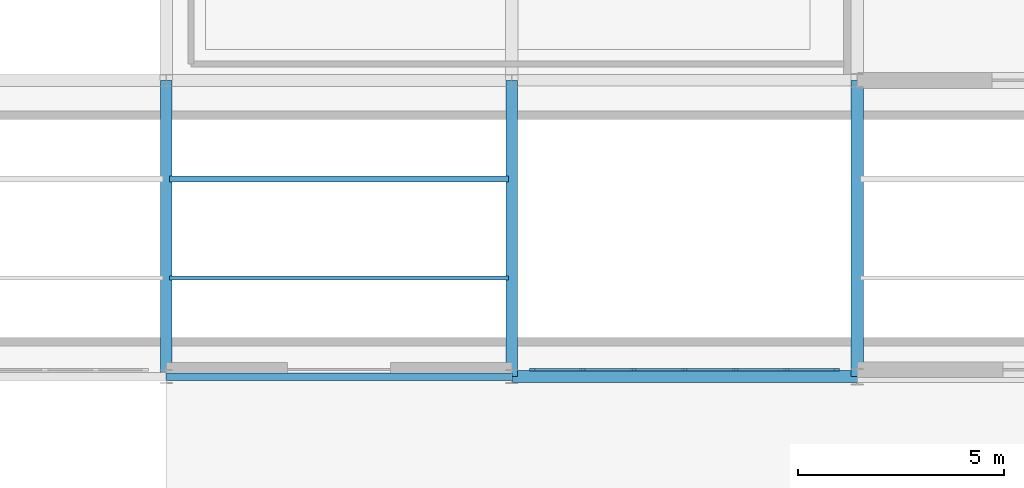
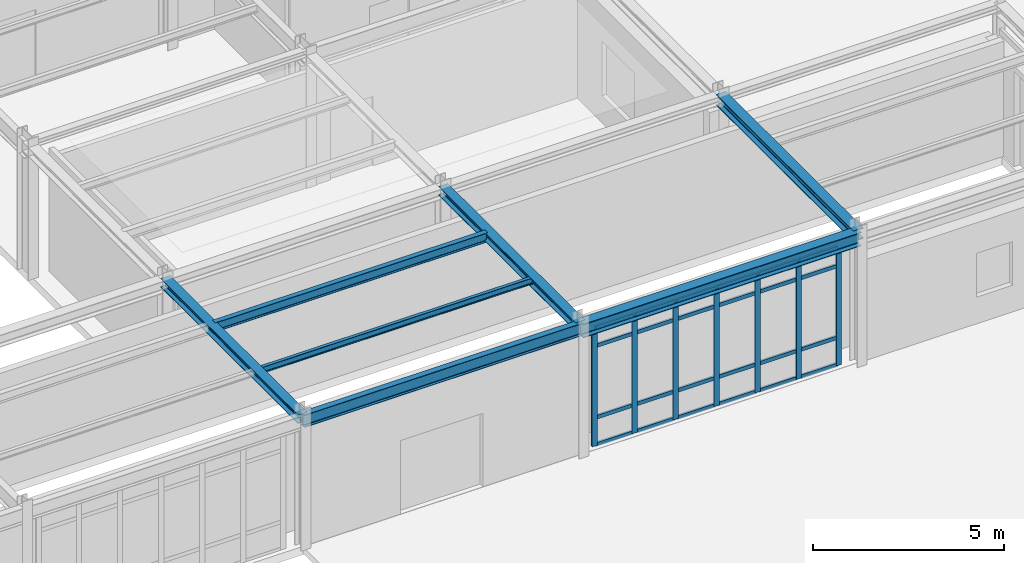
# One storey, part 48 of 101: 31 members, 7 beams, 1 element without a shape of its own.
"""IFC4 building model written with IfcOpenShell, lengths in metres."""

import ifcopenshell
import ifcopenshell.guid

model = None  # the IFC model being written
_history = None  # IfcOwnerHistory: only IFC2X3 demands one
_inside = {}  # id of a spatial element -> (the spatial element, [elements in it])
_under = {}  # id of a project, library or spatial element -> (it, [spatial elements below it])
_declared = {}  # id of a project -> (the project, [libraries it declares])
_typed = {}  # id of a type object -> (the type object, [elements of that type])
_made_of = {}  # id of a material, layer set ... -> (it, [elements and type objects made of it])


def new_model(schema):
    """Start an empty IFC model of exactly this schema.

    Asked for "IFC4X3", IfcOpenShell would pick the latest addendum, in which some entities
    have other attributes; the version numbers below select the first issue.
    IFC2X3 requires an IfcOwnerHistory on every rooted entity: one is made here for all.
    """
    global model, _history
    if schema == "IFC4X3":
        model = ifcopenshell.file(schema_version=(4, 3, 0, 0))
    else:
        model = ifcopenshell.file(schema=schema)
    _inside.clear()
    _under.clear()
    _declared.clear()
    _typed.clear()
    _made_of.clear()
    _history = None
    if model.schema == "IFC2X3":
        org = make("IfcOrganization", Name="unknown")
        user = make(
            "IfcPersonAndOrganization",
            ThePerson=make("IfcPerson", FamilyName="unknown"),
            TheOrganization=org,
        )
        app = make(
            "IfcApplication",
            ApplicationDeveloper=org,
            Version="unknown",
            ApplicationFullName="unknown",
            ApplicationIdentifier="unknown",
        )
        _history = make(
            "IfcOwnerHistory",
            OwningUser=user,
            OwningApplication=app,
            ChangeAction="ADDED",
            CreationDate=0,
        )
    return model


def make(cls, **values):
    """One entity of the class cls with the attributes given. An attribute that is None is left unset."""
    return model.create_entity(
        cls, **{name: value for name, value in values.items() if value is not None}
    )


def rooted(cls, **values):
    """An entity with a GlobalId (a new one), such as an element, a storey or a relation."""
    return make(cls, GlobalId=ifcopenshell.guid.new(), OwnerHistory=_history, **values)


def si_unit(unit_type, name, prefix=None):
    """IfcSIUnit, for example si_unit("LENGTHUNIT", "METRE", prefix="MILLI")."""
    return make("IfcSIUnit", UnitType=unit_type, Prefix=prefix, Name=name)


def derived_unit(unit_type, elements):
    """IfcDerivedUnit: a product of units, each with its exponent."""
    return make(
        "IfcDerivedUnit",
        Elements=[
            make("IfcDerivedUnitElement", Unit=unit, Exponent=power)
            for unit, power in elements
        ],
        UnitType=unit_type,
    )


def assignment(units):
    """IfcUnitAssignment: the units of a project."""
    return None if units is None else make("IfcUnitAssignment", Units=units)


def point(xyz):
    """IfcCartesianPoint."""
    return None if xyz is None else make("IfcCartesianPoint", Coordinates=xyz)


def direction(xyz):
    """IfcDirection."""
    return None if xyz is None else make("IfcDirection", DirectionRatios=xyz)


def frame(location, z_axis=None, x_axis=None):
    """IfcAxis2Placement3D, a coordinate frame: its origin and axes. An axis left out is left unset."""
    return make(
        "IfcAxis2Placement3D",
        Location=point(location),
        Axis=direction(z_axis),
        RefDirection=direction(x_axis),
    )


def frame_2d(location, x_axis=None):
    """IfcAxis2Placement2D, a coordinate frame in the plane: its origin and x axis."""
    return make(
        "IfcAxis2Placement2D", Location=point(location), RefDirection=direction(x_axis)
    )


def origin():
    """The frame at (0, 0, 0) with its axes left unset."""
    return frame((0.0, 0.0, 0.0))


def origin_2d():
    """The frame at (0, 0) in the plane with its x axis left unset."""
    return frame_2d((0.0, 0.0))


def place(relative_to, where):
    """IfcLocalPlacement: puts the frame where relative to a parent placement (None: the world)."""
    return make(
        "IfcLocalPlacement", PlacementRelTo=relative_to, RelativePlacement=where
    )


def context(
    kind, dimensions, precision=None, world=None, true_north=None, identifier=None
):
    """IfcGeometricRepresentationContext, for example the 3D "Model" context."""
    return make(
        "IfcGeometricRepresentationContext",
        ContextIdentifier=identifier,
        ContextType=kind,
        CoordinateSpaceDimension=dimensions,
        Precision=precision,
        WorldCoordinateSystem=world,
        TrueNorth=true_north,
    )


def subcontext(parent, identifier, kind, view, scale=None):
    """IfcGeometricRepresentationSubContext, for example "Body" below "Model"."""
    return make(
        "IfcGeometricRepresentationSubContext",
        ContextIdentifier=identifier,
        ContextType=kind,
        ParentContext=parent,
        TargetScale=scale,
        TargetView=view,
    )


def project(units=None, contexts=None):
    """IfcProject with its units and contexts."""
    return rooted(
        "IfcProject",
        Name="project",
        RepresentationContexts=contexts,
        UnitsInContext=assignment(units),
    )


def spatial(cls, under=None, at=None, **own):
    """A site, building, storey or space (cls), placed at a placement, below another one or the project."""
    s = rooted(cls, ObjectPlacement=at, **own)
    if under is not None:
        _under.setdefault(under.id(), (under, []))[1].append(s)
    return s


def profile(cls, at=None, kind="AREA", **sizes):
    """A parametric profile (cls). Its sizes go by their IFC names, for example OverallWidth=200.0."""
    return make(cls, ProfileType=kind, Position=at, **sizes)


def rectangle(**sizes):
    """IfcRectangleProfileDef."""
    return profile("IfcRectangleProfileDef", **sizes)


def i_section(**sizes):
    """IfcIShapeProfileDef."""
    return profile("IfcIShapeProfileDef", **sizes)


def extrude(swept, where, along, depth):
    """IfcExtrudedAreaSolid: the profile swept, set in the frame where, extruded along a direction by depth."""
    return make(
        "IfcExtrudedAreaSolid",
        SweptArea=swept,
        Position=where,
        ExtrudedDirection=direction(along),
        Depth=depth,
    )


def shape(context_of_items, identifier, shape_type, items):
    """IfcShapeRepresentation: the items that make up one representation, for example the "Body"."""
    return make(
        "IfcShapeRepresentation",
        ContextOfItems=context_of_items,
        RepresentationIdentifier=identifier,
        RepresentationType=shape_type,
        Items=items,
    )


def material(Name=None, Category=None):
    """IfcMaterial."""
    return make("IfcMaterial", Name=Name, Category=Category)


def layer(
    of_material, thickness, ventilated=None, Name=None, Category=None, Priority=None
):
    """IfcMaterialLayer: one layer of a wall or slab, of a material (None: an air gap)."""
    return make(
        "IfcMaterialLayer",
        Material=of_material,
        LayerThickness=thickness,
        IsVentilated=ventilated,
        Name=Name,
        Category=Category,
        Priority=Priority,
    )


def layer_set(layers, Name=None):
    """IfcMaterialLayerSet."""
    return make("IfcMaterialLayerSet", MaterialLayers=layers, LayerSetName=Name)


def material_profile(
    of_material, cross_section, Name=None, Category=None, Priority=None
):
    """IfcMaterialProfile: a cross section and its material."""
    return make(
        "IfcMaterialProfile",
        Name=Name,
        Material=of_material,
        Profile=cross_section,
        Priority=Priority,
        Category=Category,
    )


def profile_set(profiles, Name=None, composite=None):
    """IfcMaterialProfileSet."""
    return make(
        "IfcMaterialProfileSet",
        Name=Name,
        MaterialProfiles=profiles,
        CompositeProfile=composite,
    )


def made_of(thing, what):
    """Note that an element or type object is made of a material, layer set ...; save() writes the relation."""
    if what is not None:
        _made_of.setdefault(what.id(), (what, []))[1].append(thing)
    return thing


def type_object(cls, material=None, **own):
    """A type object (cls), such as IfcWallType, which elements share."""
    return made_of(rooted(cls, **own), material)


def element(
    cls,
    number,
    at=None,
    inside=None,
    cuts=None,
    type_object=None,
    material=None,
    context=None,
    identifier="Body",
    shape_type=None,
    held_by="IfcProductDefinitionShape",
    body=None,
    shapes=None,
    **own,
):
    """One element of the class cls, such as IfcWall. Its Tag is "e" and its number.

    at: its placement. inside: the storey or other place that contains it. cuts: it is an
    opening in that element (IfcRelVoidsElement). A single representation is given by context,
    identifier, shape_type and body (its items); several are given by shapes. held_by: the class
    of the entity that holds the representations. save() writes the other relations.
    """
    e = rooted(cls, Tag="e%d" % number, ObjectPlacement=at, **own)
    if body is not None:
        shapes = [shape(context, identifier, shape_type, body)]
    if shapes is not None:
        e.Representation = make(held_by, Representations=shapes)
    if inside is not None:
        _inside.setdefault(inside.id(), (inside, []))[1].append(e)
    if cuts is not None:
        rooted(
            "IfcRelVoidsElement", RelatingBuildingElement=cuts, RelatedOpeningElement=e
        )
    if type_object is not None:
        _typed.setdefault(type_object.id(), (type_object, []))[1].append(e)
    return made_of(e, material)


def aggregate(whole, parts):
    """IfcRelAggregates: a whole, such as a stair, and the parts it consists of."""
    return rooted("IfcRelAggregates", RelatingObject=whole, RelatedObjects=parts)


def save(model, path):
    """Write the relations noted so far, then the file.

    IfcRelAggregates (storeys below a building ...), IfcRelContainedInSpatialStructure (elements
    in a storey), IfcRelDefinesByType, IfcRelAssociatesMaterial and IfcRelDeclares: one each for
    every whole, place, type object, material and project.
    """
    for whole, parts in _under.values():
        aggregate(whole, parts)
    for where, things in _inside.values():
        rooted(
            "IfcRelContainedInSpatialStructure",
            RelatedElements=things,
            RelatingStructure=where,
        )
    for kind, things in _typed.values():
        rooted("IfcRelDefinesByType", RelatedObjects=things, RelatingType=kind)
    for what, things in _made_of.values():
        rooted("IfcRelAssociatesMaterial", RelatedObjects=things, RelatingMaterial=what)
    for by, libraries in _declared.values():
        rooted("IfcRelDeclares", RelatingContext=by, RelatedDefinitions=libraries)
    model.write(path)


model = new_model("IFC4")

# Units and contexts
model_context = context("Model", 3, precision=1e-05, world=origin(), true_north=direction((0.0, 1.0)))
body_context = subcontext(model_context, "Body", "Model", "MODEL_VIEW")
ifc_project = project(units=[si_unit("LENGTHUNIT", "METRE"), si_unit("AREAUNIT", "SQUARE_METRE"), si_unit("VOLUMEUNIT", "CUBIC_METRE"), si_unit("PLANEANGLEUNIT", "RADIAN"), si_unit("MASSUNIT", "GRAM", prefix="KILO"), derived_unit("THERMALTRANSMITTANCEUNIT", [(si_unit("POWERUNIT", "WATT"), 1), (si_unit("AREAUNIT", "SQUARE_METRE"), -1), (si_unit("THERMODYNAMICTEMPERATUREUNIT", "KELVIN"), -1)])], contexts=[model_context])

# Site, building, storey
site_placement = place(None, origin())
site = spatial("IfcSite", under=ifc_project, at=site_placement, CompositionType="ELEMENT")
building_placement = place(site_placement, origin())
building = spatial("IfcBuilding", under=site, at=building_placement, Name="Yasenodar Specialist Clinic", CompositionType="ELEMENT")
storey_placement = place(building_placement, origin())
storey = spatial("IfcBuildingStorey", under=building, at=storey_placement, Name="L00", CompositionType="ELEMENT", Elevation=0.0)

# Beams
ifc_material_1 = material(Name="Steel S355", Category="steel")
ifc_material_profile_1 = material_profile(ifc_material_1, i_section(OverallWidth=0.300048828125, OverallDepth=0.43994140625, WebThickness=0.011474609375, FlangeThickness=0.02099609375, FilletRadius=0.027099609375, at=origin_2d()), Name="HEA 450")
ifc_profile_set_1 = profile_set([ifc_material_profile_1], Name="Steel S355")
beam_type_1 = type_object("IfcBeamType", Name="BM-HEA450", PredefinedType="BEAM", material=ifc_profile_set_1)
beam_1_placement = place(storey_placement, frame((113.39990234375, 82.800048828125, 4.030029296875), z_axis=(1.0, 0.0, 0.0), x_axis=(0.0, 1.0, 0.0)))
element("IfcBeam", 1, at=beam_1_placement, inside=storey, type_object=beam_type_1, Name="L00 Primary E-W Girder", PredefinedType="BEAM", context=body_context, shape_type="SweptSolid", body=[
    extrude(i_section(OverallWidth=0.300048828125, OverallDepth=0.43994140625, WebThickness=0.011474609375, FlangeThickness=0.02099609375, FilletRadius=0.027099609375, at=origin_2d()), origin(), (0.0, 0.0, 1.0), 8.400146484375),
])
ifc_material_profile_2 = material_profile(ifc_material_1, i_section(OverallWidth=0.280029296875, OverallDepth=0.280029296875, WebThickness=0.010498046875, FlangeThickness=0.01806640625, FilletRadius=0.02392578125, at=origin_2d()), Name="HEB 280")
ifc_profile_set_2 = profile_set([ifc_material_profile_2], Name="Steel S355")
beam_type_2 = type_object("IfcBeamType", Name="BM-HEB280", PredefinedType="BEAM", material=ifc_profile_set_2)
for number, where, z_axis, x_axis, name in (
    (2, (105.0, 82.800048828125, 4.110107421875), (0.0, 1.0, 0.0), (-1.0, 0.0, 0.0), "L00 Primary N-S Girder"),
    (3, (113.39990234375, 82.800048828125, 4.110107421875), (0.0, 1.0, 0.0), (-1.0, 0.0, 0.0), "L00 Primary N-S Girder"),
):
    element("IfcBeam", number, at=place(storey_placement, frame(where, z_axis=z_axis, x_axis=x_axis)), inside=storey, type_object=beam_type_2, Name=name, PredefinedType="BEAM", context=body_context, shape_type="SweptSolid", body=[
        extrude(i_section(OverallWidth=0.280029296875, OverallDepth=0.280029296875, WebThickness=0.010498046875, FlangeThickness=0.01806640625, FilletRadius=0.02392578125, at=origin_2d()), origin(), (0.0, 0.0, 1.0), 7.199951171875),
    ])
ifc_material_profile_3 = material_profile(ifc_material_1, i_section(OverallWidth=0.300048828125, OverallDepth=0.340087890625, WebThickness=0.011962890625, FlangeThickness=0.021484375, FilletRadius=0.027099609375, at=origin_2d()), Name="HEB 340")
ifc_profile_set_3 = profile_set([ifc_material_profile_3], Name="Steel S355")
beam_type_3 = type_object("IfcBeamType", Name="BM-HEB340", PredefinedType="BEAM", material=ifc_profile_set_3)
beam_2_placement = place(storey_placement, frame((121.800048828125, 82.800048828125, 4.080078125), z_axis=(0.0, 1.0, 0.0), x_axis=(-1.0, 0.0, 0.0)))
element("IfcBeam", 4, at=beam_2_placement, inside=storey, type_object=beam_type_3, Name="L00 Primary N-S Girder", PredefinedType="BEAM", context=body_context, shape_type="SweptSolid", body=[
    extrude(i_section(OverallWidth=0.300048828125, OverallDepth=0.340087890625, WebThickness=0.011962890625, FlangeThickness=0.021484375, FilletRadius=0.027099609375, at=origin_2d()), origin(), (0.0, 0.0, 1.0), 7.199951171875),
])
ifc_material_profile_4 = material_profile(ifc_material_1, i_section(OverallWidth=0.179931640625, OverallDepth=0.39990234375, WebThickness=0.008544921875, FlangeThickness=0.013427734375, FilletRadius=0.02099609375, at=origin_2d()), Name="IPE 400")
ifc_profile_set_4 = profile_set([ifc_material_profile_4], Name="Steel S355")
beam_type_4 = type_object("IfcBeamType", Name="BM-IPE400", PredefinedType="BEAM", material=ifc_profile_set_4)
beam_3_placement = place(storey_placement, frame((105.0, 82.800048828125, 4.050048828125), z_axis=(1.0, 0.0, 0.0), x_axis=(0.0, 1.0, 0.0)))
element("IfcBeam", 5, at=beam_3_placement, inside=storey, type_object=beam_type_4, Name="L00 Primary E-W Girder", PredefinedType="BEAM", context=body_context, shape_type="SweptSolid", body=[
    extrude(i_section(OverallWidth=0.179931640625, OverallDepth=0.39990234375, WebThickness=0.008544921875, FlangeThickness=0.013427734375, FilletRadius=0.02099609375, at=origin_2d()), origin(), (0.0, 0.0, 1.0), 8.39990234375),
])

# Curtain wall, members
ifc_material_2 = material(Name="Bronze Anodized Aluminium and Triple Low-E Glass", Category="aluminium")
ifc_layer = layer(ifc_material_2, 0.215087890625)
ifc_layer_set = layer_set([ifc_layer], Name="Bronze Anodized Aluminium and Triple Low-E Glass")
curtain_wall_type = type_object("IfcCurtainWallType", Name="CW-SYS-05", PredefinedType="USERDEFINED", material=ifc_layer_set)
curtain_wall_placement = place(storey_placement, origin())
curtain_wall = element("IfcCurtainWall", 6, at=curtain_wall_placement, inside=storey, type_object=curtain_wall_type, Name="L00 Unitised Curtain Wall 146", ObjectType="UNITISED CURTAIN WALL", PredefinedType="USERDEFINED")
ifc_material_3 = material(Name="Bronze Anodized Aluminium", Category="aluminium")
ifc_material_profile_5 = material_profile(ifc_material_3, rectangle(XDim=0.06005859375, YDim=0.159912109375, at=origin_2d()), Name="CW-MULL 60x160")
ifc_profile_set_5 = profile_set([ifc_material_profile_5], Name="Bronze Anodized Aluminium")
member_type_1 = type_object("IfcMemberType", Name="CW-MULL-160", PredefinedType="MULLION", material=ifc_profile_set_5)
member_1_placement = place(storey_placement, frame((121.2900390625, 82.969970703125, 0.0), z_axis=(0.0, 0.0, 1.0), x_axis=(0.0, -1.0, 0.0)))
member_1 = element("IfcMember", 7, at=member_1_placement, type_object=member_type_1, Name="CW-05 mullion 1", PredefinedType="MULLION", context=body_context, shape_type="SweptSolid", body=[
    extrude(rectangle(XDim=0.06005859375, YDim=0.159912109375, at=origin_2d()), origin(), (0.0, 0.0, 1.0), 3.7880859375),
])
member_2_placement = place(storey_placement, frame((120.080078125, 82.969970703125, 0.0), z_axis=(0.0, 0.0, 1.0), x_axis=(0.0, -1.0, 0.0)))
member_2 = element("IfcMember", 8, at=member_2_placement, type_object=member_type_1, Name="CW-05 mullion 2", PredefinedType="MULLION", context=body_context, shape_type="SweptSolid", body=[
    extrude(rectangle(XDim=0.06005859375, YDim=0.159912109375, at=origin_2d()), origin(), (0.0, 0.0, 1.0), 3.7880859375),
])
member_3_placement = place(storey_placement, frame((118.840087890625, 82.969970703125, 0.0), z_axis=(0.0, 0.0, 1.0), x_axis=(0.0, -1.0, 0.0)))
member_3 = element("IfcMember", 9, at=member_3_placement, type_object=member_type_1, Name="CW-05 mullion 3", PredefinedType="MULLION", context=body_context, shape_type="SweptSolid", body=[
    extrude(rectangle(XDim=0.06005859375, YDim=0.159912109375, at=origin_2d()), origin(), (0.0, 0.0, 1.0), 3.7880859375),
])
member_4_placement = place(storey_placement, frame((117.60009765625, 82.969970703125, 0.0), z_axis=(0.0, 0.0, 1.0), x_axis=(0.0, -1.0, 0.0)))
member_4 = element("IfcMember", 10, at=member_4_placement, type_object=member_type_1, Name="CW-05 mullion 4", PredefinedType="MULLION", context=body_context, shape_type="SweptSolid", body=[
    extrude(rectangle(XDim=0.06005859375, YDim=0.159912109375, at=origin_2d()), origin(), (0.0, 0.0, 1.0), 3.7880859375),
])
member_5_placement = place(storey_placement, frame((116.360107421875, 82.969970703125, 0.0), z_axis=(0.0, 0.0, 1.0), x_axis=(0.0, -1.0, 0.0)))
member_5 = element("IfcMember", 11, at=member_5_placement, type_object=member_type_1, Name="CW-05 mullion 5", PredefinedType="MULLION", context=body_context, shape_type="SweptSolid", body=[
    extrude(rectangle(XDim=0.06005859375, YDim=0.159912109375, at=origin_2d()), origin(), (0.0, 0.0, 1.0), 3.7880859375),
])
member_6_placement = place(storey_placement, frame((115.1201171875, 82.969970703125, 0.0), z_axis=(0.0, 0.0, 1.0), x_axis=(0.0, -1.0, 0.0)))
member_6 = element("IfcMember", 12, at=member_6_placement, type_object=member_type_1, Name="CW-05 mullion 6", PredefinedType="MULLION", context=body_context, shape_type="SweptSolid", body=[
    extrude(rectangle(XDim=0.06005859375, YDim=0.159912109375, at=origin_2d()), origin(), (0.0, 0.0, 1.0), 3.7880859375),
])
member_7_placement = place(storey_placement, frame((113.909912109375, 82.969970703125, 0.0), z_axis=(0.0, 0.0, 1.0), x_axis=(0.0, -1.0, 0.0)))
member_7 = element("IfcMember", 13, at=member_7_placement, type_object=member_type_1, Name="CW-05 mullion 7", PredefinedType="MULLION", context=body_context, shape_type="SweptSolid", body=[
    extrude(rectangle(XDim=0.06005859375, YDim=0.159912109375, at=origin_2d()), origin(), (0.0, 0.0, 1.0), 3.7880859375),
])
ifc_material_profile_6 = material_profile(ifc_material_3, rectangle(XDim=0.06005859375, YDim=0.1201171875, at=origin_2d()), Name="CW-TRAN 60x120")
ifc_profile_set_6 = profile_set([ifc_material_profile_6], Name="Bronze Anodized Aluminium")
member_type_2 = type_object("IfcMemberType", Name="CW-TRAN-120", PredefinedType="USERDEFINED", material=ifc_profile_set_6)
member_8_placement = place(storey_placement, frame((121.260009765625, 82.969970703125, 0.030029296875), z_axis=(-1.0, 0.0, 0.0), x_axis=(0.0, -1.0, 0.0)))
member_8 = element("IfcMember", 14, at=member_8_placement, type_object=member_type_2, Name="CW-05 transom 1.1", ObjectType="TRANSOM", PredefinedType="USERDEFINED", context=body_context, shape_type="SweptSolid", body=[
    extrude(rectangle(XDim=0.06005859375, YDim=0.1201171875, at=origin_2d()), origin(), (0.0, 0.0, 1.0), 1.14990234375),
])
member_9_placement = place(storey_placement, frame((121.260009765625, 82.969970703125, 0.89990234375), z_axis=(-1.0, 0.0, 0.0), x_axis=(0.0, -1.0, 0.0)))
member_9 = element("IfcMember", 15, at=member_9_placement, type_object=member_type_2, Name="CW-05 transom 1.2", ObjectType="TRANSOM", PredefinedType="USERDEFINED", context=body_context, shape_type="SweptSolid", body=[
    extrude(rectangle(XDim=0.06005859375, YDim=0.1201171875, at=origin_2d()), origin(), (0.0, 0.0, 1.0), 1.14990234375),
])
member_10_placement = place(storey_placement, frame((121.260009765625, 82.969970703125, 3.18798828125), z_axis=(-1.0, 0.0, 0.0), x_axis=(0.0, -1.0, 0.0)))
member_10 = element("IfcMember", 16, at=member_10_placement, type_object=member_type_2, Name="CW-05 transom 1.3", ObjectType="TRANSOM", PredefinedType="USERDEFINED", context=body_context, shape_type="SweptSolid", body=[
    extrude(rectangle(XDim=0.06005859375, YDim=0.1201171875, at=origin_2d()), origin(), (0.0, 0.0, 1.0), 1.14990234375),
])
member_11_placement = place(storey_placement, frame((121.260009765625, 82.969970703125, 3.758056640625), z_axis=(-1.0, 0.0, 0.0), x_axis=(0.0, -1.0, 0.0)))
member_11 = element("IfcMember", 17, at=member_11_placement, type_object=member_type_2, Name="CW-05 transom 1.4", ObjectType="TRANSOM", PredefinedType="USERDEFINED", context=body_context, shape_type="SweptSolid", body=[
    extrude(rectangle(XDim=0.06005859375, YDim=0.1201171875, at=origin_2d()), origin(), (0.0, 0.0, 1.0), 1.14990234375),
])
member_12_placement = place(storey_placement, frame((120.050048828125, 82.969970703125, 0.030029296875), z_axis=(-1.0, 0.0, 0.0), x_axis=(0.0, -1.0, 0.0)))
member_12 = element("IfcMember", 18, at=member_12_placement, type_object=member_type_2, Name="CW-05 transom 2.1", ObjectType="TRANSOM", PredefinedType="USERDEFINED", context=body_context, shape_type="SweptSolid", body=[
    extrude(rectangle(XDim=0.06005859375, YDim=0.1201171875, at=origin_2d()), origin(), (0.0, 0.0, 1.0), 1.179931640625),
])
member_13_placement = place(storey_placement, frame((120.050048828125, 82.969970703125, 0.89990234375), z_axis=(-1.0, 0.0, 0.0), x_axis=(0.0, -1.0, 0.0)))
member_13 = element("IfcMember", 19, at=member_13_placement, type_object=member_type_2, Name="CW-05 transom 2.2", ObjectType="TRANSOM", PredefinedType="USERDEFINED", context=body_context, shape_type="SweptSolid", body=[
    extrude(rectangle(XDim=0.06005859375, YDim=0.1201171875, at=origin_2d()), origin(), (0.0, 0.0, 1.0), 1.179931640625),
])
member_14_placement = place(storey_placement, frame((120.050048828125, 82.969970703125, 3.18798828125), z_axis=(-1.0, 0.0, 0.0), x_axis=(0.0, -1.0, 0.0)))
member_14 = element("IfcMember", 20, at=member_14_placement, type_object=member_type_2, Name="CW-05 transom 2.3", ObjectType="TRANSOM", PredefinedType="USERDEFINED", context=body_context, shape_type="SweptSolid", body=[
    extrude(rectangle(XDim=0.06005859375, YDim=0.1201171875, at=origin_2d()), origin(), (0.0, 0.0, 1.0), 1.179931640625),
])
member_15_placement = place(storey_placement, frame((120.050048828125, 82.969970703125, 3.758056640625), z_axis=(-1.0, 0.0, 0.0), x_axis=(0.0, -1.0, 0.0)))
member_15 = element("IfcMember", 21, at=member_15_placement, type_object=member_type_2, Name="CW-05 transom 2.4", ObjectType="TRANSOM", PredefinedType="USERDEFINED", context=body_context, shape_type="SweptSolid", body=[
    extrude(rectangle(XDim=0.06005859375, YDim=0.1201171875, at=origin_2d()), origin(), (0.0, 0.0, 1.0), 1.179931640625),
])
member_16_placement = place(storey_placement, frame((118.81005859375, 82.969970703125, 0.030029296875), z_axis=(-1.0, 0.0, 0.0), x_axis=(0.0, -1.0, 0.0)))
member_16 = element("IfcMember", 22, at=member_16_placement, type_object=member_type_2, Name="CW-05 transom 3.1", ObjectType="TRANSOM", PredefinedType="USERDEFINED", context=body_context, shape_type="SweptSolid", body=[
    extrude(rectangle(XDim=0.06005859375, YDim=0.1201171875, at=origin_2d()), origin(), (0.0, 0.0, 1.0), 1.18017578125),
])
member_17_placement = place(storey_placement, frame((118.81005859375, 82.969970703125, 0.89990234375), z_axis=(-1.0, 0.0, 0.0), x_axis=(0.0, -1.0, 0.0)))
member_17 = element("IfcMember", 23, at=member_17_placement, type_object=member_type_2, Name="CW-05 transom 3.2", ObjectType="TRANSOM", PredefinedType="USERDEFINED", context=body_context, shape_type="SweptSolid", body=[
    extrude(rectangle(XDim=0.06005859375, YDim=0.1201171875, at=origin_2d()), origin(), (0.0, 0.0, 1.0), 1.18017578125),
])
member_18_placement = place(storey_placement, frame((118.81005859375, 82.969970703125, 3.18798828125), z_axis=(-1.0, 0.0, 0.0), x_axis=(0.0, -1.0, 0.0)))
member_18 = element("IfcMember", 24, at=member_18_placement, type_object=member_type_2, Name="CW-05 transom 3.3", ObjectType="TRANSOM", PredefinedType="USERDEFINED", context=body_context, shape_type="SweptSolid", body=[
    extrude(rectangle(XDim=0.06005859375, YDim=0.1201171875, at=origin_2d()), origin(), (0.0, 0.0, 1.0), 1.18017578125),
])
member_19_placement = place(storey_placement, frame((118.81005859375, 82.969970703125, 3.758056640625), z_axis=(-1.0, 0.0, 0.0), x_axis=(0.0, -1.0, 0.0)))
member_19 = element("IfcMember", 25, at=member_19_placement, type_object=member_type_2, Name="CW-05 transom 3.4", ObjectType="TRANSOM", PredefinedType="USERDEFINED", context=body_context, shape_type="SweptSolid", body=[
    extrude(rectangle(XDim=0.06005859375, YDim=0.1201171875, at=origin_2d()), origin(), (0.0, 0.0, 1.0), 1.18017578125),
])
member_20_placement = place(storey_placement, frame((117.570068359375, 82.969970703125, 0.030029296875), z_axis=(-1.0, 0.0, 0.0), x_axis=(0.0, -1.0, 0.0)))
member_20 = element("IfcMember", 26, at=member_20_placement, type_object=member_type_2, Name="CW-05 transom 4.1", ObjectType="TRANSOM", PredefinedType="USERDEFINED", context=body_context, shape_type="SweptSolid", body=[
    extrude(rectangle(XDim=0.06005859375, YDim=0.1201171875, at=origin_2d()), origin(), (0.0, 0.0, 1.0), 1.18017578125),
])
member_21_placement = place(storey_placement, frame((117.570068359375, 82.969970703125, 0.89990234375), z_axis=(-1.0, 0.0, 0.0), x_axis=(0.0, -1.0, 0.0)))
member_21 = element("IfcMember", 27, at=member_21_placement, type_object=member_type_2, Name="CW-05 transom 4.2", ObjectType="TRANSOM", PredefinedType="USERDEFINED", context=body_context, shape_type="SweptSolid", body=[
    extrude(rectangle(XDim=0.06005859375, YDim=0.1201171875, at=origin_2d()), origin(), (0.0, 0.0, 1.0), 1.18017578125),
])
member_22_placement = place(storey_placement, frame((117.570068359375, 82.969970703125, 3.18798828125), z_axis=(-1.0, 0.0, 0.0), x_axis=(0.0, -1.0, 0.0)))
member_22 = element("IfcMember", 28, at=member_22_placement, type_object=member_type_2, Name="CW-05 transom 4.3", ObjectType="TRANSOM", PredefinedType="USERDEFINED", context=body_context, shape_type="SweptSolid", body=[
    extrude(rectangle(XDim=0.06005859375, YDim=0.1201171875, at=origin_2d()), origin(), (0.0, 0.0, 1.0), 1.18017578125),
])
member_23_placement = place(storey_placement, frame((117.570068359375, 82.969970703125, 3.758056640625), z_axis=(-1.0, 0.0, 0.0), x_axis=(0.0, -1.0, 0.0)))
member_23 = element("IfcMember", 29, at=member_23_placement, type_object=member_type_2, Name="CW-05 transom 4.4", ObjectType="TRANSOM", PredefinedType="USERDEFINED", context=body_context, shape_type="SweptSolid", body=[
    extrude(rectangle(XDim=0.06005859375, YDim=0.1201171875, at=origin_2d()), origin(), (0.0, 0.0, 1.0), 1.18017578125),
])
member_24_placement = place(storey_placement, frame((116.330078125, 82.969970703125, 0.030029296875), z_axis=(-1.0, 0.0, 0.0), x_axis=(0.0, -1.0, 0.0)))
member_24 = element("IfcMember", 30, at=member_24_placement, type_object=member_type_2, Name="CW-05 transom 5.1", ObjectType="TRANSOM", PredefinedType="USERDEFINED", context=body_context, shape_type="SweptSolid", body=[
    extrude(rectangle(XDim=0.06005859375, YDim=0.1201171875, at=origin_2d()), origin(), (0.0, 0.0, 1.0), 1.18017578125),
])
member_25_placement = place(storey_placement, frame((116.330078125, 82.969970703125, 0.89990234375), z_axis=(-1.0, 0.0, 0.0), x_axis=(0.0, -1.0, 0.0)))
member_25 = element("IfcMember", 31, at=member_25_placement, type_object=member_type_2, Name="CW-05 transom 5.2", ObjectType="TRANSOM", PredefinedType="USERDEFINED", context=body_context, shape_type="SweptSolid", body=[
    extrude(rectangle(XDim=0.06005859375, YDim=0.1201171875, at=origin_2d()), origin(), (0.0, 0.0, 1.0), 1.18017578125),
])
member_26_placement = place(storey_placement, frame((116.330078125, 82.969970703125, 3.18798828125), z_axis=(-1.0, 0.0, 0.0), x_axis=(0.0, -1.0, 0.0)))
member_26 = element("IfcMember", 32, at=member_26_placement, type_object=member_type_2, Name="CW-05 transom 5.3", ObjectType="TRANSOM", PredefinedType="USERDEFINED", context=body_context, shape_type="SweptSolid", body=[
    extrude(rectangle(XDim=0.06005859375, YDim=0.1201171875, at=origin_2d()), origin(), (0.0, 0.0, 1.0), 1.18017578125),
])
member_27_placement = place(storey_placement, frame((116.330078125, 82.969970703125, 3.758056640625), z_axis=(-1.0, 0.0, 0.0), x_axis=(0.0, -1.0, 0.0)))
member_27 = element("IfcMember", 33, at=member_27_placement, type_object=member_type_2, Name="CW-05 transom 5.4", ObjectType="TRANSOM", PredefinedType="USERDEFINED", context=body_context, shape_type="SweptSolid", body=[
    extrude(rectangle(XDim=0.06005859375, YDim=0.1201171875, at=origin_2d()), origin(), (0.0, 0.0, 1.0), 1.18017578125),
])
member_28_placement = place(storey_placement, frame((115.090087890625, 82.969970703125, 0.030029296875), z_axis=(-1.0, 0.0, 0.0), x_axis=(0.0, -1.0, 0.0)))
member_28 = element("IfcMember", 34, at=member_28_placement, type_object=member_type_2, Name="CW-05 transom 6.1", ObjectType="TRANSOM", PredefinedType="USERDEFINED", context=body_context, shape_type="SweptSolid", body=[
    extrude(rectangle(XDim=0.06005859375, YDim=0.1201171875, at=origin_2d()), origin(), (0.0, 0.0, 1.0), 1.150146484375),
])
member_29_placement = place(storey_placement, frame((115.090087890625, 82.969970703125, 0.89990234375), z_axis=(-1.0, 0.0, 0.0), x_axis=(0.0, -1.0, 0.0)))
member_29 = element("IfcMember", 35, at=member_29_placement, type_object=member_type_2, Name="CW-05 transom 6.2", ObjectType="TRANSOM", PredefinedType="USERDEFINED", context=body_context, shape_type="SweptSolid", body=[
    extrude(rectangle(XDim=0.06005859375, YDim=0.1201171875, at=origin_2d()), origin(), (0.0, 0.0, 1.0), 1.150146484375),
])
member_30_placement = place(storey_placement, frame((115.090087890625, 82.969970703125, 3.18798828125), z_axis=(-1.0, 0.0, 0.0), x_axis=(0.0, -1.0, 0.0)))
member_30 = element("IfcMember", 36, at=member_30_placement, type_object=member_type_2, Name="CW-05 transom 6.3", ObjectType="TRANSOM", PredefinedType="USERDEFINED", context=body_context, shape_type="SweptSolid", body=[
    extrude(rectangle(XDim=0.06005859375, YDim=0.1201171875, at=origin_2d()), origin(), (0.0, 0.0, 1.0), 1.150146484375),
])
member_31_placement = place(storey_placement, frame((115.090087890625, 82.969970703125, 3.758056640625), z_axis=(-1.0, 0.0, 0.0), x_axis=(0.0, -1.0, 0.0)))
member_31 = element("IfcMember", 37, at=member_31_placement, type_object=member_type_2, Name="CW-05 transom 6.4", ObjectType="TRANSOM", PredefinedType="USERDEFINED", context=body_context, shape_type="SweptSolid", body=[
    extrude(rectangle(XDim=0.06005859375, YDim=0.1201171875, at=origin_2d()), origin(), (0.0, 0.0, 1.0), 1.150146484375),
])
aggregate(curtain_wall, [member_1, member_2, member_3, member_4, member_5, member_6, member_7, member_8, member_9, member_10, member_11, member_12, member_13, member_14, member_15, member_16, member_17, member_18, member_19, member_20, member_21, member_22, member_23, member_24, member_25, member_26, member_27, member_28, member_29, member_30, member_31])

# Beams
ifc_material_profile_7 = material_profile(ifc_material_1, i_section(OverallWidth=0.10009765625, OverallDepth=0.199951171875, WebThickness=0.005615234375, FlangeThickness=0.008544921875, FilletRadius=0.011962890625, at=origin_2d()), Name="IPE 200")
ifc_profile_set_7 = profile_set([ifc_material_profile_7], Name="Steel S355")
beam_type_5 = type_object("IfcBeamType", Name="JS-IPE200", PredefinedType="JOIST", material=ifc_profile_set_7)
beam_4_placement = place(storey_placement, frame((105.080078125, 85.199951171875, 4.14990234375), z_axis=(1.0, 0.0, 0.0), x_axis=(0.0, 1.0, 0.0)))
element("IfcBeam", 38, at=beam_4_placement, inside=storey, type_object=beam_type_5, Name="L00 Composite Floor Joist", PredefinedType="JOIST", context=body_context, shape_type="SweptSolid", body=[
    extrude(i_section(OverallWidth=0.10009765625, OverallDepth=0.199951171875, WebThickness=0.005615234375, FlangeThickness=0.008544921875, FilletRadius=0.011962890625, at=origin_2d()), origin(), (0.0, 0.0, 1.0), 8.239990234375),
])
ifc_material_profile_8 = material_profile(ifc_material_1, i_section(OverallWidth=0.14990234375, OverallDepth=0.300048828125, WebThickness=0.007080078125, FlangeThickness=0.0107421875, FilletRadius=0.014892578125, at=origin_2d()), Name="IPE 300")
ifc_profile_set_8 = profile_set([ifc_material_profile_8], Name="Steel S355")
beam_type_6 = type_object("IfcBeamType", Name="JS-IPE300", PredefinedType="JOIST", material=ifc_profile_set_8)
beam_5_placement = place(storey_placement, frame((105.080078125, 87.60009765625, 4.10009765625), z_axis=(1.0, 0.0, 0.0), x_axis=(0.0, 1.0, 0.0)))
element("IfcBeam", 39, at=beam_5_placement, inside=storey, type_object=beam_type_6, Name="L00 Composite Floor Joist", PredefinedType="JOIST", context=body_context, shape_type="SweptSolid", body=[
    extrude(i_section(OverallWidth=0.14990234375, OverallDepth=0.300048828125, WebThickness=0.007080078125, FlangeThickness=0.0107421875, FilletRadius=0.014892578125, at=origin_2d()), origin(), (0.0, 0.0, 1.0), 8.239990234375),
])

save(model, "model.ifc")
